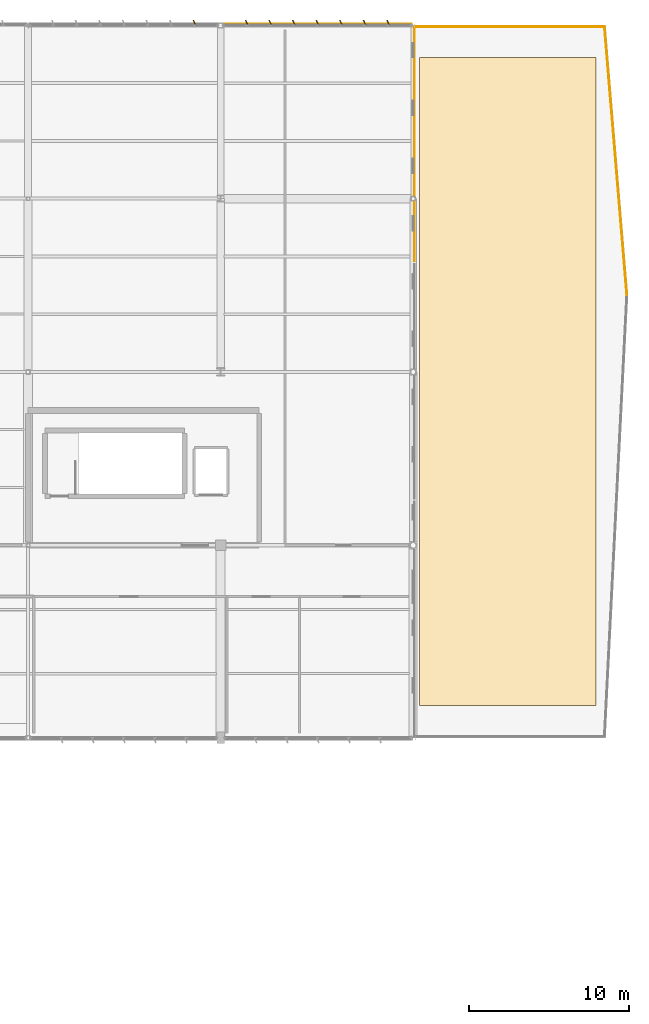
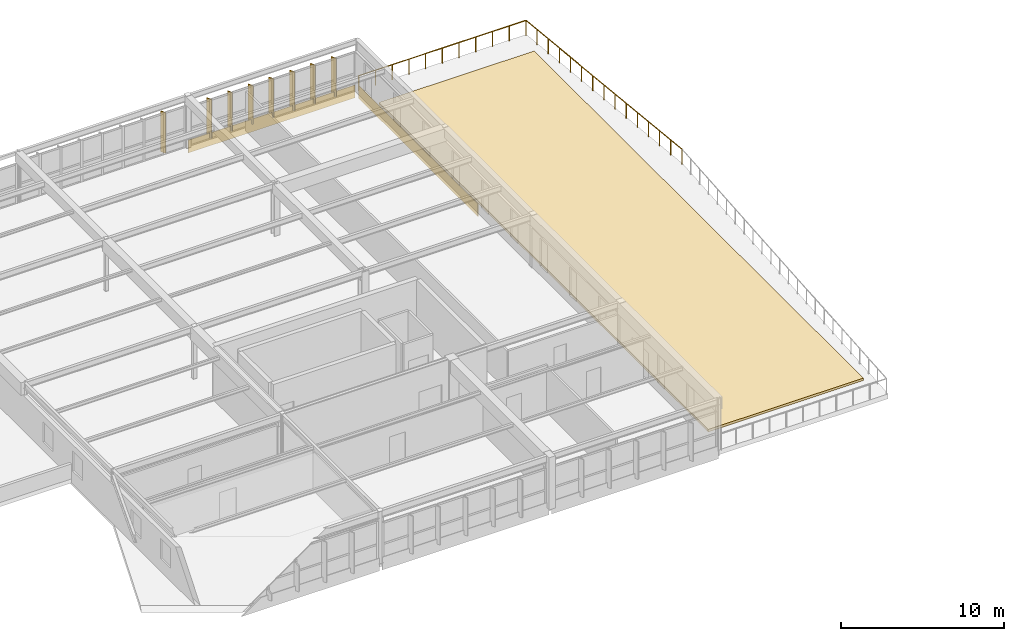
# One storey, part 128 of 128: 8 shading devices, 3 coverings, 2 railings.
"""IFC4 building model written with IfcOpenShell, lengths in metres."""

from ifc_helpers import new_model, si_unit, direction, frame, origin, origin_2d, place, context, subcontext, project, spatial, rectangle, circle, extrude, material, layer, layer_set, type_object, element, save


model = new_model("IFC4")

# Units and contexts
model_context = context("Model", 3, precision=1e-05, world=origin(), true_north=direction((0.0, 1.0)))
body_context = subcontext(model_context, "Body", "Model", "MODEL_VIEW")
ifc_project = project(units=[si_unit("LENGTHUNIT", "METRE"), si_unit("AREAUNIT", "SQUARE_METRE"), si_unit("VOLUMEUNIT", "CUBIC_METRE"), si_unit("PLANEANGLEUNIT", "RADIAN"), si_unit("MASSUNIT", "GRAM", prefix="KILO")], contexts=[model_context])

# Site, building, storey
site_placement = place(None, origin())
site = spatial("IfcSite", under=ifc_project, at=site_placement, CompositionType="ELEMENT")
building_placement = place(site_placement, origin())
building = spatial("IfcBuilding", under=site, at=building_placement, Name="Tarnwether General Hospital", CompositionType="ELEMENT")
storey_placement = place(building_placement, frame((0.0, 0.0, 14.39990234375)))
storey = spatial("IfcBuildingStorey", under=building, at=storey_placement, Name="L03", CompositionType="ELEMENT", Elevation=14.39990234375)

# Coverings
ifc_material_1 = material(Name="Folded zinc-titanium cladding")
ifc_layer_1 = layer(ifc_material_1, 0.0400390625)
ifc_layer_set_1 = layer_set([ifc_layer_1], Name="Folded zinc-titanium cladding")
covering_type_1 = type_object("IfcCoveringType", Name="CV-CLD-ZNC", PredefinedType="CLADDING", material=ifc_layer_set_1)
covering_1_placement = place(storey_placement, frame((174.0, 126.090087890625, -0.5546875), z_axis=(0.0, 0.0, 1.0), x_axis=(1.0, 0.0, 0.0)))
element("IfcCovering", 1, at=covering_1_placement, inside=storey, type_object=covering_type_1, Name="Deconstructivist Faceted Zinc Spandrel Blade 056", PredefinedType="CLADDING", context=body_context, shape_type="SweptSolid", body=[
    extrude(rectangle(XDim=11.800048828125, YDim=0.0400390625, at=origin_2d()), origin(), (0.0, 0.0, 1.0), 0.949951171875),
])
covering_2_placement = place(storey_placement, frame((180.090087890625, 118.60009765625, -0.5546875), z_axis=(0.0, 0.0, 1.0), x_axis=(0.0, 1.0, 0.0)))
element("IfcCovering", 2, at=covering_2_placement, inside=storey, type_object=covering_type_1, Name="Deconstructivist East Faceted Zinc Spandrel 062", PredefinedType="CLADDING", context=body_context, shape_type="SweptSolid", body=[
    extrude(rectangle(XDim=14.60009765625, YDim=0.0400390625, at=origin_2d()), origin(), (0.0, 0.0, 1.0), 0.949951171875),
])
ifc_material_2 = material(Name="Planted green roof media")
ifc_layer_2 = layer(ifc_material_2, 0.179931640625)
ifc_layer_set_2 = layer_set([ifc_layer_2], Name="Planted green roof media")
covering_type_2 = type_object("IfcCoveringType", Name="CV-RFG-GRN", PredefinedType="ROOFING", material=ifc_layer_set_2)
covering_3_placement = place(storey_placement, frame((185.89990234375, 103.800048828125, 0.0), z_axis=(0.0, 0.0, 1.0), x_axis=(1.0, 0.0, 0.0)))
element("IfcCovering", 3, at=covering_3_placement, inside=storey, type_object=covering_type_2, Name="Planted Healing Roof Garden Turf CV-GDN-L03NE", PredefinedType="ROOFING", context=body_context, shape_type="SweptSolid", body=[
    extrude(rectangle(XDim=11.0, YDim=40.39990234375, at=origin_2d()), origin(), (0.0, 0.0, 1.0), 0.179931640625),
])

# Railings
ifc_material_3 = material(Name="Anodised aluminium", Category="aluminium")
railing_type = type_object("IfcRailingType", Name="RL-GRD-EXT", PredefinedType="GUARDRAIL", material=ifc_material_3)
railing_1_placement = place(storey_placement, frame((191.926025390625, 125.919921875, 0.0)))
element("IfcRailing", 4, at=railing_1_placement, inside=storey, type_object=railing_type, Name="L03 Outpatient North-East Shard Roof Garden SL-L03-V6NTER Guard 0017", PredefinedType="GUARDRAIL", context=body_context, shape_type="SweptSolid", body=[
    extrude(circle(Radius=0.02392578125, at=origin_2d()), frame((0.0, 0.0, 1.1259765625), z_axis=(0.083082809109, -0.99654264677, 0.0), x_axis=(0.99654264677, 0.083082809109, 0.0)), (0.0, 0.0, 1.0), 16.779052734375),
    extrude(circle(Radius=0.02099609375, at=origin_2d()), origin(), (0.0, 0.0, 1.0), 1.101806640625),
    extrude(circle(Radius=0.02099609375, at=origin_2d()), frame((0.099609375, -1.1943359375, 0.0)), (0.0, 0.0, 1.0), 1.101806640625),
    extrude(circle(Radius=0.02099609375, at=origin_2d()), frame((0.19921875, -2.388671875, 0.0)), (0.0, 0.0, 1.0), 1.101806640625),
    extrude(circle(Radius=0.02099609375, at=origin_2d()), frame((0.298828125, -3.5830078125, 0.0)), (0.0, 0.0, 1.0), 1.101806640625),
    extrude(circle(Radius=0.02099609375, at=origin_2d()), frame((0.398193359375, -4.77734375, 0.0)), (0.0, 0.0, 1.0), 1.101806640625),
    extrude(circle(Radius=0.02099609375, at=origin_2d()), frame((0.497802734375, -5.9716796875, 0.0)), (0.0, 0.0, 1.0), 1.101806640625),
    extrude(circle(Radius=0.02099609375, at=origin_2d()), frame((0.597412109375, -7.166015625, 0.0)), (0.0, 0.0, 1.0), 1.101806640625),
    extrude(circle(Radius=0.02099609375, at=origin_2d()), frame((0.697021484375, -8.3603515625, 0.0)), (0.0, 0.0, 1.0), 1.101806640625),
    extrude(circle(Radius=0.02099609375, at=origin_2d()), frame((0.796630859375, -9.554931640625, 0.0)), (0.0, 0.0, 1.0), 1.101806640625),
    extrude(circle(Radius=0.02099609375, at=origin_2d()), frame((0.896240234375, -10.749267578125, 0.0)), (0.0, 0.0, 1.0), 1.101806640625),
    extrude(circle(Radius=0.02099609375, at=origin_2d()), frame((0.995849609375, -11.943603515625, 0.0)), (0.0, 0.0, 1.0), 1.101806640625),
    extrude(circle(Radius=0.02099609375, at=origin_2d()), frame((1.09521484375, -13.137939453125, 0.0)), (0.0, 0.0, 1.0), 1.101806640625),
    extrude(circle(Radius=0.02099609375, at=origin_2d()), frame((1.19482421875, -14.332275390625, 0.0)), (0.0, 0.0, 1.0), 1.101806640625),
    extrude(circle(Radius=0.02099609375, at=origin_2d()), frame((1.29443359375, -15.526611328125, 0.0)), (0.0, 0.0, 1.0), 1.101806640625),
    extrude(circle(Radius=0.02099609375, at=origin_2d()), frame((1.39404296875, -16.720947265625, 0.0)), (0.0, 0.0, 1.0), 1.101806640625),
])
railing_2_placement = place(storey_placement, frame((180.080078125, 125.919921875, 0.0)))
element("IfcRailing", 5, at=railing_2_placement, inside=storey, type_object=railing_type, Name="L03 Outpatient North-East Shard Roof Garden SL-L03-V6NTER Guard 0020", PredefinedType="GUARDRAIL", context=body_context, shape_type="SweptSolid", body=[
    extrude(circle(Radius=0.02392578125, at=origin_2d()), frame((0.0, 0.0, 1.1259765625), z_axis=(1.0, 0.0, 0.0), x_axis=(0.0, 1.0, 0.0)), (0.0, 0.0, 1.0), 11.845947265625),
    extrude(circle(Radius=0.02099609375, at=origin_2d()), origin(), (0.0, 0.0, 1.0), 1.101806640625),
    extrude(circle(Radius=0.02099609375, at=origin_2d()), frame((1.1845703125, 0.0, 0.0)), (0.0, 0.0, 1.0), 1.101806640625),
    extrude(circle(Radius=0.02099609375, at=origin_2d()), frame((2.369140625, 0.0, 0.0)), (0.0, 0.0, 1.0), 1.101806640625),
    extrude(circle(Radius=0.02099609375, at=origin_2d()), frame((3.5537109375, 0.0, 0.0)), (0.0, 0.0, 1.0), 1.101806640625),
    extrude(circle(Radius=0.02099609375, at=origin_2d()), frame((4.73828125, 0.0, 0.0)), (0.0, 0.0, 1.0), 1.101806640625),
    extrude(circle(Radius=0.02099609375, at=origin_2d()), frame((5.9228515625, 0.0, 0.0)), (0.0, 0.0, 1.0), 1.101806640625),
    extrude(circle(Radius=0.02099609375, at=origin_2d()), frame((7.107666015625, 0.0, 0.0)), (0.0, 0.0, 1.0), 1.101806640625),
    extrude(circle(Radius=0.02099609375, at=origin_2d()), frame((8.292236328125, 0.0, 0.0)), (0.0, 0.0, 1.0), 1.101806640625),
    extrude(circle(Radius=0.02099609375, at=origin_2d()), frame((9.476806640625, 0.0, 0.0)), (0.0, 0.0, 1.0), 1.101806640625),
    extrude(circle(Radius=0.02099609375, at=origin_2d()), frame((10.661376953125, 0.0, 0.0)), (0.0, 0.0, 1.0), 1.101806640625),
    extrude(circle(Radius=0.02099609375, at=origin_2d()), frame((11.845947265625, 0.0, 0.0)), (0.0, 0.0, 1.0), 1.101806640625),
])

# Shading devices
ifc_material_4 = material(Name="Champagne-bronze anodised aluminium", Category="aluminium")
ifc_layer_3 = layer(ifc_material_4, 0.06005859375)
ifc_layer_set_3 = layer_set([ifc_layer_3], Name="Champagne-bronze anodised aluminium")
shading_device_type = type_object("IfcShadingDeviceType", Name="SH-FIN-BRZ", PredefinedType="USERDEFINED", material=ifc_layer_set_3)
shading_device_placement = place(storey_placement, frame((166.3720703125, 126.159912109375, 0.05029296875), z_axis=(0.0, 0.0, 1.0), x_axis=(0.906307787037, 0.422618261741, 0.0)))
element("IfcShadingDevice", 6, at=shading_device_placement, inside=storey, type_object=shading_device_type, Name="Champagne-Bronze Brise-Soleil Fin 0592", ObjectType="SOLAR FIN", PredefinedType="USERDEFINED", context=body_context, shape_type="SweptSolid", body=[
    extrude(rectangle(XDim=0.06005859375, YDim=0.360107421875, at=origin_2d()), origin(), (0.0, 0.0, 1.0), 3.034912109375),
])
for number, where, z_axis, x_axis, name in (
    (7, (169.626953125, 126.159912109375, 0.05029296875), (0.0, 0.0, 1.0), (0.906307787037, 0.422618261741, 0.0), "Champagne-Bronze Brise-Soleil Fin 0593"),
    (8, (171.095947265625, 126.159912109375, 0.05029296875), (0.0, 0.0, 1.0), (0.906307787037, 0.422618261741, 0.0), "Champagne-Bronze Brise-Soleil Fin 0594"),
    (9, (172.56494140625, 126.159912109375, 0.05029296875), (0.0, 0.0, 1.0), (0.906307787037, 0.422618261741, 0.0), "Champagne-Bronze Brise-Soleil Fin 0595"),
    (10, (174.034912109375, 126.159912109375, 0.05029296875), (0.0, 0.0, 1.0), (0.906307787037, 0.422618261741, 0.0), "Champagne-Bronze Brise-Soleil Fin 0596"),
    (11, (175.50390625, 126.159912109375, 0.05029296875), (0.0, 0.0, 1.0), (0.906307787037, 0.422618261741, 0.0), "Champagne-Bronze Brise-Soleil Fin 0597"),
    (12, (176.972900390625, 126.159912109375, 0.05029296875), (0.0, 0.0, 1.0), (0.906307787037, 0.422618261741, 0.0), "Champagne-Bronze Brise-Soleil Fin 0598"),
    (13, (178.44189453125, 126.159912109375, 0.05029296875), (0.0, 0.0, 1.0), (0.906307787037, 0.422618261741, 0.0), "Champagne-Bronze Brise-Soleil Fin 0599"),
):
    element("IfcShadingDevice", number, at=place(storey_placement, frame(where, z_axis=z_axis, x_axis=x_axis)), inside=storey, type_object=shading_device_type, Name=name, ObjectType="SOLAR FIN", PredefinedType="USERDEFINED", context=body_context, shape_type="SweptSolid", body=[
        extrude(rectangle(XDim=0.06005859375, YDim=0.360107421875, at=origin_2d()), origin(), (0.0, 0.0, 1.0), 2.885009765625),
    ])

save(model, "model.ifc")
